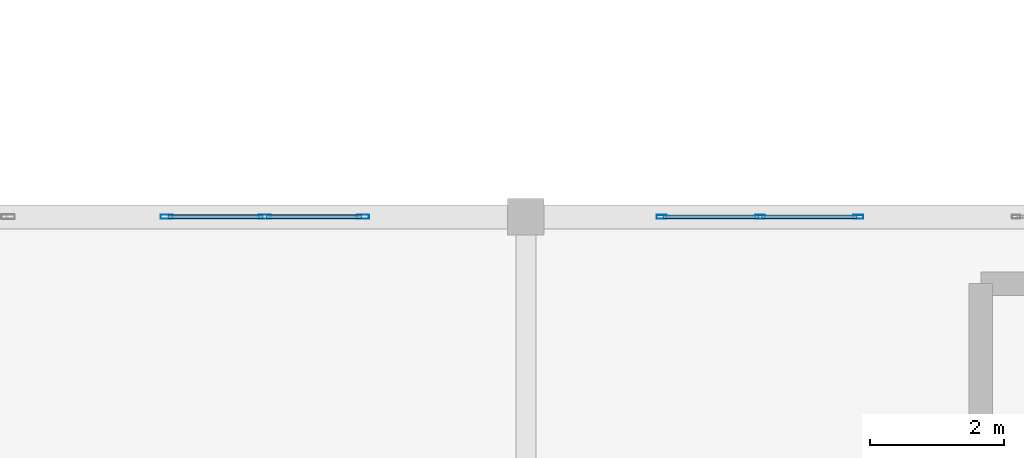
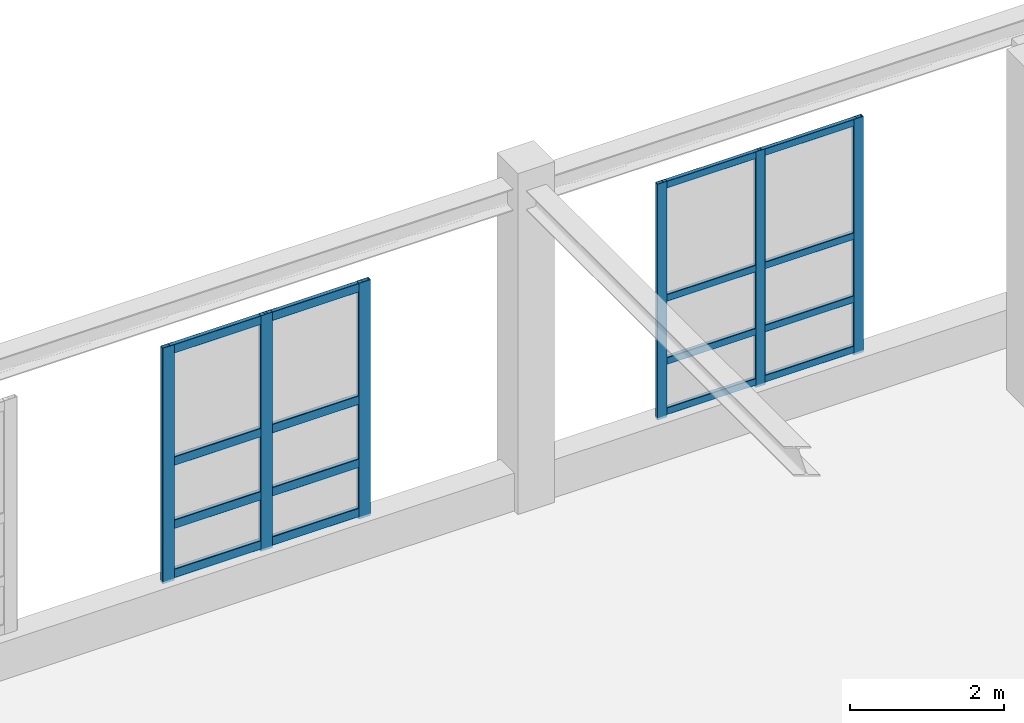
# One storey, part 92 of 197: 22 members, 2 elements without a shape of their own.
"""IFC4 building model written with IfcOpenShell, lengths in metres."""

from ifc_helpers import new_model, si_unit, derived_unit, direction, frame, origin, origin_2d, place, context, subcontext, project, spatial, hollow_rectangle, extrude, material, layer, layer_set, material_profile, profile_set, type_object, element, aggregate, save


model = new_model("IFC4")

# Units and contexts
model_context = context("Model", 3, precision=1e-05, world=origin(), true_north=direction((0.0, 1.0)))
body_context = subcontext(model_context, "Body", "Model", "MODEL_VIEW")
ifc_project = project(units=[si_unit("LENGTHUNIT", "METRE"), si_unit("AREAUNIT", "SQUARE_METRE"), si_unit("VOLUMEUNIT", "CUBIC_METRE"), si_unit("PLANEANGLEUNIT", "RADIAN"), si_unit("MASSUNIT", "GRAM", prefix="KILO"), derived_unit("THERMALTRANSMITTANCEUNIT", [(si_unit("POWERUNIT", "WATT"), 1), (si_unit("LENGTHUNIT", "METRE"), -2), (si_unit("THERMODYNAMICTEMPERATUREUNIT", "KELVIN"), -1)])], contexts=[model_context])

# Site, building, storey
site_placement = place(None, origin())
site = spatial("IfcSite", under=ifc_project, at=site_placement, CompositionType="ELEMENT")
building_placement = place(site_placement, origin())
building = spatial("IfcBuilding", under=site, at=building_placement, Name="Almenara Railside Exhibition Hall", CompositionType="ELEMENT")
storey_placement = place(building_placement, frame((0.0, 0.0, 5.39990234375)))
storey = spatial("IfcBuildingStorey", under=building, at=storey_placement, Name="L01", CompositionType="ELEMENT", Elevation=5.39990234375)

# Curtain wall, members
ifc_material_1 = material(Name="Bronze-anodised aluminium and low-E double glazing", Category="aluminium")
ifc_layer = layer(ifc_material_1, 0.179931640625, Name="Bronze-anodised aluminium and low-E double glazing")
ifc_layer_set = layer_set([ifc_layer], Name="Bronze-anodised aluminium and low-E double glazing")
curtain_wall_type = type_object("IfcCurtainWallType", Name="Courtyard North Galeria Curtain Wall 3000x3700", PredefinedType="NOTDEFINED", material=ifc_layer_set)
curtain_wall_1_placement = place(storey_placement, origin())
curtain_wall_1 = element("IfcCurtainWall", 1, at=curtain_wall_1_placement, inside=storey, type_object=curtain_wall_type, Name="Curtain wall CW-CY1-141", PredefinedType="NOTDEFINED")
ifc_material_2 = material(Name="Bronze-anodised aluminium", Category="aluminium")
ifc_material_profile_1 = material_profile(ifc_material_2, hollow_rectangle(XDim=0.06005859375, YDim=0.14990234375, WallThickness=0.00341796875, InnerFilletRadius=0.00341796875, OuterFilletRadius=0.007080078125, at=origin_2d()), Name="ALU-MUL 60x150x3.5")
ifc_profile_set_1 = profile_set([ifc_material_profile_1], Name="Bronze-anodised aluminium")
member_type_1 = type_object("IfcMemberType", Name="Curtain Wall Mullion 60x150x3.5", PredefinedType="MULLION", material=ifc_profile_set_1)
member_1_placement = place(storey_placement, frame((122.030029296875, 108.0, 0.565185546875), z_axis=(0.0, 0.0, 1.0), x_axis=(0.0, 1.0, 0.0)))
member_1 = element("IfcMember", 2, at=member_1_placement, type_object=member_type_1, Name="CW-CY1-141 mullion 1", PredefinedType="MULLION", context=body_context, shape_type="SweptSolid", body=[
    extrude(hollow_rectangle(XDim=0.06005859375, YDim=0.14990234375, WallThickness=0.00341796875, InnerFilletRadius=0.00341796875, OuterFilletRadius=0.007080078125, at=origin_2d()), origin(), (0.0, 0.0, 1.0), 3.73486328125),
])
member_2_placement = place(storey_placement, frame((123.5, 108.0, 0.565185546875), z_axis=(0.0, 0.0, 1.0), x_axis=(0.0, 1.0, 0.0)))
member_2 = element("IfcMember", 3, at=member_2_placement, type_object=member_type_1, Name="CW-CY1-141 mullion 2", PredefinedType="MULLION", context=body_context, shape_type="SweptSolid", body=[
    extrude(hollow_rectangle(XDim=0.06005859375, YDim=0.14990234375, WallThickness=0.00341796875, InnerFilletRadius=0.00341796875, OuterFilletRadius=0.007080078125, at=origin_2d()), origin(), (0.0, 0.0, 1.0), 3.73486328125),
])
member_3_placement = place(storey_placement, frame((124.969970703125, 108.0, 0.565185546875), z_axis=(0.0, 0.0, 1.0), x_axis=(0.0, 1.0, 0.0)))
member_3 = element("IfcMember", 4, at=member_3_placement, type_object=member_type_1, Name="CW-CY1-141 mullion 3", PredefinedType="MULLION", context=body_context, shape_type="SweptSolid", body=[
    extrude(hollow_rectangle(XDim=0.06005859375, YDim=0.14990234375, WallThickness=0.00341796875, InnerFilletRadius=0.00341796875, OuterFilletRadius=0.007080078125, at=origin_2d()), origin(), (0.0, 0.0, 1.0), 3.73486328125),
])

curtain_wall_2_placement = place(storey_placement, origin())
curtain_wall_2 = element("IfcCurtainWall", 5, at=curtain_wall_2_placement, inside=storey, type_object=curtain_wall_type, Name="Curtain wall CW-CY1-140", PredefinedType="NOTDEFINED")
ifc_material_profile_2 = material_profile(ifc_material_2, hollow_rectangle(XDim=0.06494140625, YDim=0.179931640625, WallThickness=0.00390625, InnerFilletRadius=0.00390625, OuterFilletRadius=0.008056640625, at=origin_2d()), Name="ALU-MUL 65x180x4")
ifc_profile_set_2 = profile_set([ifc_material_profile_2], Name="Bronze-anodised aluminium")
member_type_2 = type_object("IfcMemberType", Name="Curtain Wall Mullion 65x180x4", PredefinedType="MULLION", material=ifc_profile_set_2)
member_4_placement = place(storey_placement, frame((114.632568359375, 108.0, 0.565185546875), z_axis=(0.0, 0.0, 1.0), x_axis=(0.0, 1.0, 0.0)))
member_4 = element("IfcMember", 6, at=member_4_placement, type_object=member_type_2, Name="CW-CY1-140 mullion 1", PredefinedType="MULLION", context=body_context, shape_type="SweptSolid", body=[
    extrude(hollow_rectangle(XDim=0.06494140625, YDim=0.179931640625, WallThickness=0.00390625, InnerFilletRadius=0.00390625, OuterFilletRadius=0.008056640625, at=origin_2d()), origin(), (0.0, 0.0, 1.0), 3.73486328125),
])
member_5_placement = place(storey_placement, frame((116.10009765625, 108.0, 0.565185546875), z_axis=(0.0, 0.0, 1.0), x_axis=(0.0, 1.0, 0.0)))
member_5 = element("IfcMember", 7, at=member_5_placement, type_object=member_type_2, Name="CW-CY1-140 mullion 2", PredefinedType="MULLION", context=body_context, shape_type="SweptSolid", body=[
    extrude(hollow_rectangle(XDim=0.06494140625, YDim=0.179931640625, WallThickness=0.00390625, InnerFilletRadius=0.00390625, OuterFilletRadius=0.008056640625, at=origin_2d()), origin(), (0.0, 0.0, 1.0), 3.73486328125),
])
member_6_placement = place(storey_placement, frame((117.5673828125, 108.0, 0.565185546875), z_axis=(0.0, 0.0, 1.0), x_axis=(0.0, 1.0, 0.0)))
member_6 = element("IfcMember", 8, at=member_6_placement, type_object=member_type_2, Name="CW-CY1-140 mullion 3", PredefinedType="MULLION", context=body_context, shape_type="SweptSolid", body=[
    extrude(hollow_rectangle(XDim=0.06494140625, YDim=0.179931640625, WallThickness=0.00390625, InnerFilletRadius=0.00390625, OuterFilletRadius=0.008056640625, at=origin_2d()), origin(), (0.0, 0.0, 1.0), 3.73486328125),
])

# Member
ifc_material_profile_3 = material_profile(ifc_material_2, hollow_rectangle(XDim=0.06005859375, YDim=0.110107421875, WallThickness=0.0029296875, InnerFilletRadius=0.0029296875, OuterFilletRadius=0.006103515625, at=origin_2d()), Name="ALU-TRN 60x110x3")
ifc_profile_set_3 = profile_set([ifc_material_profile_3], Name="Bronze-anodised aluminium")
member_type_3 = type_object("IfcMemberType", Name="Curtain Wall Transom 60x110x3", PredefinedType="USERDEFINED", material=ifc_profile_set_3)
member_7_placement = place(storey_placement, frame((122.052001953125, 108.0, 0.655029296875), z_axis=(1.0, 0.0, 0.0), x_axis=(0.0, 1.0, 0.0)))
member_7 = element("IfcMember", 9, at=member_7_placement, type_object=member_type_3, Name="CW-CY1-141 transom 1.1", ObjectType="TRANSOM", PredefinedType="USERDEFINED", context=body_context, shape_type="SweptSolid", body=[
    extrude(hollow_rectangle(XDim=0.06005859375, YDim=0.110107421875, WallThickness=0.0029296875, InnerFilletRadius=0.0029296875, OuterFilletRadius=0.006103515625, at=origin_2d()), origin(), (0.0, 0.0, 1.0), 1.426025390625),
])

member_8_placement = place(storey_placement, frame((122.052001953125, 108.0, 1.4501953125), z_axis=(1.0, 0.0, 0.0), x_axis=(0.0, 1.0, 0.0)))
member_8 = element("IfcMember", 10, at=member_8_placement, type_object=member_type_3, Name="CW-CY1-141 transom 1.2", ObjectType="TRANSOM", PredefinedType="USERDEFINED", context=body_context, shape_type="SweptSolid", body=[
    extrude(hollow_rectangle(XDim=0.06005859375, YDim=0.110107421875, WallThickness=0.0029296875, InnerFilletRadius=0.0029296875, OuterFilletRadius=0.006103515625, at=origin_2d()), origin(), (0.0, 0.0, 1.0), 1.426025390625),
])

member_9_placement = place(storey_placement, frame((122.052001953125, 108.0, 2.4501953125), z_axis=(1.0, 0.0, 0.0), x_axis=(0.0, 1.0, 0.0)))
member_9 = element("IfcMember", 11, at=member_9_placement, type_object=member_type_3, Name="CW-CY1-141 transom 1.3", ObjectType="TRANSOM", PredefinedType="USERDEFINED", context=body_context, shape_type="SweptSolid", body=[
    extrude(hollow_rectangle(XDim=0.06005859375, YDim=0.110107421875, WallThickness=0.0029296875, InnerFilletRadius=0.0029296875, OuterFilletRadius=0.006103515625, at=origin_2d()), origin(), (0.0, 0.0, 1.0), 1.426025390625),
])

member_10_placement = place(storey_placement, frame((122.052001953125, 108.0, 4.2451171875), z_axis=(1.0, 0.0, 0.0), x_axis=(0.0, 1.0, 0.0)))
member_10 = element("IfcMember", 12, at=member_10_placement, type_object=member_type_3, Name="CW-CY1-141 transom 1.4", ObjectType="TRANSOM", PredefinedType="USERDEFINED", context=body_context, shape_type="SweptSolid", body=[
    extrude(hollow_rectangle(XDim=0.06005859375, YDim=0.110107421875, WallThickness=0.0029296875, InnerFilletRadius=0.0029296875, OuterFilletRadius=0.006103515625, at=origin_2d()), origin(), (0.0, 0.0, 1.0), 1.426025390625),
])

member_11_placement = place(storey_placement, frame((123.52197265625, 108.0, 0.655029296875), z_axis=(1.0, 0.0, 0.0), x_axis=(0.0, 1.0, 0.0)))
member_11 = element("IfcMember", 13, at=member_11_placement, type_object=member_type_3, Name="CW-CY1-141 transom 2.1", ObjectType="TRANSOM", PredefinedType="USERDEFINED", context=body_context, shape_type="SweptSolid", body=[
    extrude(hollow_rectangle(XDim=0.06005859375, YDim=0.110107421875, WallThickness=0.0029296875, InnerFilletRadius=0.0029296875, OuterFilletRadius=0.006103515625, at=origin_2d()), origin(), (0.0, 0.0, 1.0), 1.426025390625),
])

member_12_placement = place(storey_placement, frame((123.52197265625, 108.0, 1.4501953125), z_axis=(1.0, 0.0, 0.0), x_axis=(0.0, 1.0, 0.0)))
member_12 = element("IfcMember", 14, at=member_12_placement, type_object=member_type_3, Name="CW-CY1-141 transom 2.2", ObjectType="TRANSOM", PredefinedType="USERDEFINED", context=body_context, shape_type="SweptSolid", body=[
    extrude(hollow_rectangle(XDim=0.06005859375, YDim=0.110107421875, WallThickness=0.0029296875, InnerFilletRadius=0.0029296875, OuterFilletRadius=0.006103515625, at=origin_2d()), origin(), (0.0, 0.0, 1.0), 1.426025390625),
])

member_13_placement = place(storey_placement, frame((123.52197265625, 108.0, 2.4501953125), z_axis=(1.0, 0.0, 0.0), x_axis=(0.0, 1.0, 0.0)))
member_13 = element("IfcMember", 15, at=member_13_placement, type_object=member_type_3, Name="CW-CY1-141 transom 2.3", ObjectType="TRANSOM", PredefinedType="USERDEFINED", context=body_context, shape_type="SweptSolid", body=[
    extrude(hollow_rectangle(XDim=0.06005859375, YDim=0.110107421875, WallThickness=0.0029296875, InnerFilletRadius=0.0029296875, OuterFilletRadius=0.006103515625, at=origin_2d()), origin(), (0.0, 0.0, 1.0), 1.426025390625),
])

member_14_placement = place(storey_placement, frame((123.52197265625, 108.0, 4.2451171875), z_axis=(1.0, 0.0, 0.0), x_axis=(0.0, 1.0, 0.0)))
member_14 = element("IfcMember", 16, at=member_14_placement, type_object=member_type_3, Name="CW-CY1-141 transom 2.4", ObjectType="TRANSOM", PredefinedType="USERDEFINED", context=body_context, shape_type="SweptSolid", body=[
    extrude(hollow_rectangle(XDim=0.06005859375, YDim=0.110107421875, WallThickness=0.0029296875, InnerFilletRadius=0.0029296875, OuterFilletRadius=0.006103515625, at=origin_2d()), origin(), (0.0, 0.0, 1.0), 1.426025390625),
])

aggregate(curtain_wall_1, [member_1, member_2, member_3, member_7, member_8, member_9, member_10, member_11, member_12, member_13, member_14])

ifc_material_profile_4 = material_profile(ifc_material_2, hollow_rectangle(XDim=0.06494140625, YDim=0.139892578125, WallThickness=0.00341796875, InnerFilletRadius=0.00341796875, OuterFilletRadius=0.007080078125, at=origin_2d()), Name="ALU-TRN 65x140x3.5")
ifc_profile_set_4 = profile_set([ifc_material_profile_4], Name="Bronze-anodised aluminium")
member_type_4 = type_object("IfcMemberType", Name="Curtain Wall Transom 65x140x3.5", PredefinedType="USERDEFINED", material=ifc_profile_set_4)
member_15_placement = place(storey_placement, frame((114.656982421875, 108.0, 0.670166015625), z_axis=(1.0, 0.0, 0.0), x_axis=(0.0, 1.0, 0.0)))
member_15 = element("IfcMember", 17, at=member_15_placement, type_object=member_type_4, Name="CW-CY1-140 transom 1.1", ObjectType="TRANSOM", PredefinedType="USERDEFINED", context=body_context, shape_type="SweptSolid", body=[
    extrude(hollow_rectangle(XDim=0.06494140625, YDim=0.139892578125, WallThickness=0.00341796875, InnerFilletRadius=0.00341796875, OuterFilletRadius=0.007080078125, at=origin_2d()), origin(), (0.0, 0.0, 1.0), 1.41845703125),
])

member_16_placement = place(storey_placement, frame((114.656982421875, 108.0, 1.4501953125), z_axis=(1.0, 0.0, 0.0), x_axis=(0.0, 1.0, 0.0)))
member_16 = element("IfcMember", 18, at=member_16_placement, type_object=member_type_4, Name="CW-CY1-140 transom 1.2", ObjectType="TRANSOM", PredefinedType="USERDEFINED", context=body_context, shape_type="SweptSolid", body=[
    extrude(hollow_rectangle(XDim=0.06494140625, YDim=0.139892578125, WallThickness=0.00341796875, InnerFilletRadius=0.00341796875, OuterFilletRadius=0.007080078125, at=origin_2d()), origin(), (0.0, 0.0, 1.0), 1.41845703125),
])

member_17_placement = place(storey_placement, frame((114.656982421875, 108.0, 2.4501953125), z_axis=(1.0, 0.0, 0.0), x_axis=(0.0, 1.0, 0.0)))
member_17 = element("IfcMember", 19, at=member_17_placement, type_object=member_type_4, Name="CW-CY1-140 transom 1.3", ObjectType="TRANSOM", PredefinedType="USERDEFINED", context=body_context, shape_type="SweptSolid", body=[
    extrude(hollow_rectangle(XDim=0.06494140625, YDim=0.139892578125, WallThickness=0.00341796875, InnerFilletRadius=0.00341796875, OuterFilletRadius=0.007080078125, at=origin_2d()), origin(), (0.0, 0.0, 1.0), 1.41845703125),
])

member_18_placement = place(storey_placement, frame((114.656982421875, 108.0, 4.22998046875), z_axis=(1.0, 0.0, 0.0), x_axis=(0.0, 1.0, 0.0)))
member_18 = element("IfcMember", 20, at=member_18_placement, type_object=member_type_4, Name="CW-CY1-140 transom 1.4", ObjectType="TRANSOM", PredefinedType="USERDEFINED", context=body_context, shape_type="SweptSolid", body=[
    extrude(hollow_rectangle(XDim=0.06494140625, YDim=0.139892578125, WallThickness=0.00341796875, InnerFilletRadius=0.00341796875, OuterFilletRadius=0.007080078125, at=origin_2d()), origin(), (0.0, 0.0, 1.0), 1.41845703125),
])

member_19_placement = place(storey_placement, frame((116.12451171875, 108.0, 0.670166015625), z_axis=(1.0, 0.0, 0.0), x_axis=(0.0, 1.0, 0.0)))
member_19 = element("IfcMember", 21, at=member_19_placement, type_object=member_type_4, Name="CW-CY1-140 transom 2.1", ObjectType="TRANSOM", PredefinedType="USERDEFINED", context=body_context, shape_type="SweptSolid", body=[
    extrude(hollow_rectangle(XDim=0.06494140625, YDim=0.139892578125, WallThickness=0.00341796875, InnerFilletRadius=0.00341796875, OuterFilletRadius=0.007080078125, at=origin_2d()), origin(), (0.0, 0.0, 1.0), 1.41845703125),
])

member_20_placement = place(storey_placement, frame((116.12451171875, 108.0, 1.4501953125), z_axis=(1.0, 0.0, 0.0), x_axis=(0.0, 1.0, 0.0)))
member_20 = element("IfcMember", 22, at=member_20_placement, type_object=member_type_4, Name="CW-CY1-140 transom 2.2", ObjectType="TRANSOM", PredefinedType="USERDEFINED", context=body_context, shape_type="SweptSolid", body=[
    extrude(hollow_rectangle(XDim=0.06494140625, YDim=0.139892578125, WallThickness=0.00341796875, InnerFilletRadius=0.00341796875, OuterFilletRadius=0.007080078125, at=origin_2d()), origin(), (0.0, 0.0, 1.0), 1.41845703125),
])

member_21_placement = place(storey_placement, frame((116.12451171875, 108.0, 2.4501953125), z_axis=(1.0, 0.0, 0.0), x_axis=(0.0, 1.0, 0.0)))
member_21 = element("IfcMember", 23, at=member_21_placement, type_object=member_type_4, Name="CW-CY1-140 transom 2.3", ObjectType="TRANSOM", PredefinedType="USERDEFINED", context=body_context, shape_type="SweptSolid", body=[
    extrude(hollow_rectangle(XDim=0.06494140625, YDim=0.139892578125, WallThickness=0.00341796875, InnerFilletRadius=0.00341796875, OuterFilletRadius=0.007080078125, at=origin_2d()), origin(), (0.0, 0.0, 1.0), 1.41845703125),
])

member_22_placement = place(storey_placement, frame((116.12451171875, 108.0, 4.22998046875), z_axis=(1.0, 0.0, 0.0), x_axis=(0.0, 1.0, 0.0)))
member_22 = element("IfcMember", 24, at=member_22_placement, type_object=member_type_4, Name="CW-CY1-140 transom 2.4", ObjectType="TRANSOM", PredefinedType="USERDEFINED", context=body_context, shape_type="SweptSolid", body=[
    extrude(hollow_rectangle(XDim=0.06494140625, YDim=0.139892578125, WallThickness=0.00341796875, InnerFilletRadius=0.00341796875, OuterFilletRadius=0.007080078125, at=origin_2d()), origin(), (0.0, 0.0, 1.0), 1.41845703125),
])

aggregate(curtain_wall_2, [member_4, member_5, member_6, member_15, member_16, member_17, member_18, member_19, member_20, member_21, member_22])

save(model, "model.ifc")
